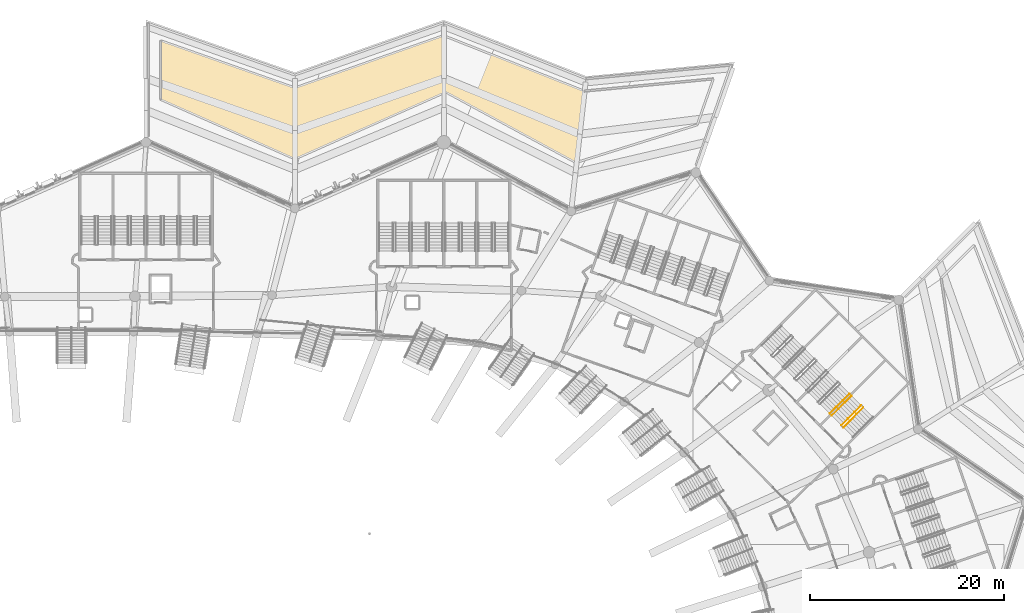
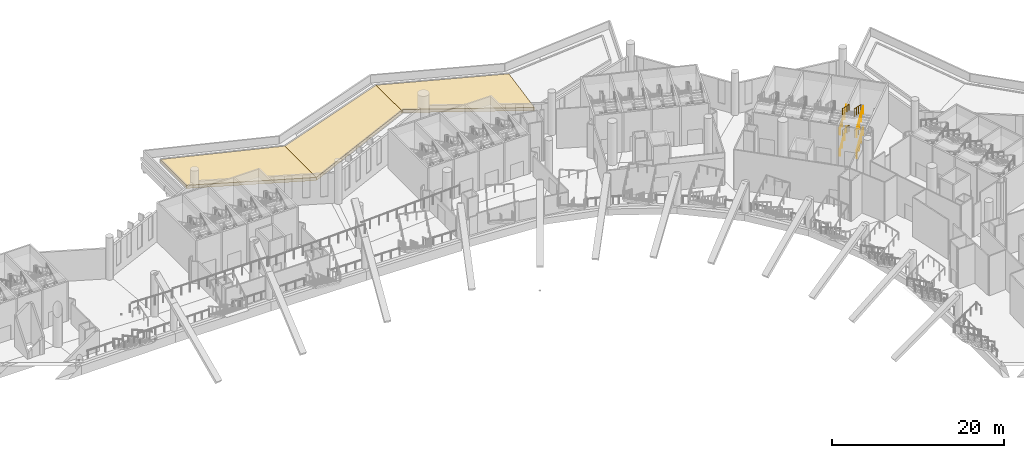
# One storey, part 172 of 173: 8 railings, 3 coverings.
"""IFC4 building model written with IfcOpenShell, lengths in metres."""

from ifc_helpers import new_model, si_unit, direction, frame, origin, origin_2d, place, context, subcontext, project, spatial, polyline, circle, outline, extrude, material, layer, layer_set, type_object, element, save


model = new_model("IFC4")

# Units and contexts
model_context = context("Model", 3, precision=1e-05, world=origin(), true_north=direction((0.0, 1.0)))
body_context = subcontext(model_context, "Body", "Model", "MODEL_VIEW")
ifc_project = project(units=[si_unit("LENGTHUNIT", "METRE"), si_unit("AREAUNIT", "SQUARE_METRE"), si_unit("VOLUMEUNIT", "CUBIC_METRE"), si_unit("PLANEANGLEUNIT", "RADIAN"), si_unit("MASSUNIT", "GRAM", prefix="KILO")], contexts=[model_context])

# Site, building, storey
site_placement = place(None, origin())
site = spatial("IfcSite", under=ifc_project, at=site_placement, CompositionType="ELEMENT")
building_placement = place(site_placement, origin())
building = spatial("IfcBuilding", under=site, at=building_placement, Name="Meseta Stadium", CompositionType="ELEMENT")
storey_placement = place(building_placement, frame((0.0, 0.0, 18.0)))
storey = spatial("IfcBuildingStorey", under=building, at=storey_placement, Name="L03", CompositionType="ELEMENT", Elevation=18.0)

# Coverings
ifc_material_1 = material(Name="Planting soil")
ifc_layer = layer(ifc_material_1, 0.449951171875)
ifc_layer_set = layer_set([ifc_layer], Name="Planting soil 450")
covering_type = type_object("IfcCoveringType", Name="Planting soil 450", PredefinedType="FLOORING", material=ifc_layer_set)
covering_1_placement = place(storey_placement, origin())
element("IfcCovering", 1, at=covering_1_placement, inside=storey, type_object=covering_type, Name="Roof garden planting bed 2.1 panel 01", PredefinedType="FLOORING", context=body_context, shape_type="SweptSolid", body=[
    extrude(outline(polyline([(23.0, 103.686767578125), (23.0, 111.009765625), (9.166748046875, 115.88134765625), (9.166748046875, 109.821533203125), (23.0, 103.686767578125)])), origin(), (0.0, 0.0, 1.0), 0.449951171875),
])
covering_2_placement = place(storey_placement, origin())
element("IfcCovering", 2, at=covering_2_placement, inside=storey, type_object=covering_type, Name="Roof garden planting bed 2.1 panel 02", PredefinedType="FLOORING", context=body_context, shape_type="SweptSolid", body=[
    extrude(outline(polyline([(23.0, 103.686767578125), (38.333251953125, 110.48681640625), (38.333251953125, 116.387451171875), (38.303466796875, 116.399169921875), (23.0, 111.009765625), (23.0, 103.686767578125)])), origin(), (0.0, 0.0, 1.0), 0.449951171875),
])
covering_3_placement = place(storey_placement, origin())
element("IfcCovering", 3, at=covering_3_placement, inside=storey, type_object=covering_type, Name="Roof garden planting bed 2.1 panel 03", PredefinedType="FLOORING", context=body_context, shape_type="SweptSolid", body=[
    extrude(outline(polyline([(52.010009765625, 103.3408203125), (52.83740234375, 110.683349609375), (52.79248046875, 110.67919921875), (38.333251953125, 116.387451171875), (38.333251953125, 110.48681640625), (38.538818359375, 110.577880859375), (51.93359375, 103.31689453125), (52.010009765625, 103.3408203125)])), origin(), (0.0, 0.0, 1.0), 0.449951171875),
])

# Railings
ifc_material_2 = material(Name="Steel S355", Category="steel")
railing_type_1 = type_object("IfcRailingType", Name="Stair guard 1100", PredefinedType="GUARDRAIL", material=ifc_material_2)
railing_1_placement = place(storey_placement, frame((79.4814453125, 76.056884765625, 0.14990234375)))
element("IfcRailing", 4, at=railing_1_placement, inside=storey, type_object=railing_type_1, Name="ST25 L03 guard 1", PredefinedType="GUARDRAIL", context=body_context, shape_type="SweptSolid", body=[
    extrude(circle(Radius=0.02392578125, at=origin_2d()), frame((0.0, 0.0, 1.076171875), z_axis=(0.640287970486, 0.640211215754, 0.424453665402), x_axis=(-0.707064395047, 0.707149164786, 0.0)), (0.0, 0.0, 1.0), 3.180908203125),
    extrude(circle(Radius=0.02099609375, at=origin_2d()), origin(), (0.0, 0.0, 1.0), 1.052001953125),
    extrude(circle(Radius=0.02099609375, at=origin_2d()), frame((0.678955078125, 0.6787109375, 0.449951171875)), (0.0, 0.0, 1.0), 1.052001953125),
    extrude(circle(Radius=0.02099609375, at=origin_2d()), frame((1.357666015625, 1.357666015625, 0.900146484375)), (0.0, 0.0, 1.0), 1.052001953125),
    extrude(circle(Radius=0.02099609375, at=origin_2d()), frame((2.03662109375, 2.036376953125, 1.35009765625)), (0.0, 0.0, 1.0), 1.052001953125),
])
railing_2_placement = place(storey_placement, frame((81.305908203125, 78.305419921875, 1.64990234375)))
element("IfcRailing", 5, at=railing_2_placement, inside=storey, type_object=railing_type_1, Name="ST25 L03 guard 3", PredefinedType="GUARDRAIL", context=body_context, shape_type="SweptSolid", body=[
    extrude(circle(Radius=0.02392578125, at=origin_2d()), frame((0.0, 0.0, 1.076171875), z_axis=(-0.640287970486, -0.640211215754, 0.424453665402), x_axis=(0.707064395047, -0.707149164786, 0.0)), (0.0, 0.0, 1.0), 3.180908203125),
    extrude(circle(Radius=0.02099609375, at=origin_2d()), origin(), (0.0, 0.0, 1.0), 1.052001953125),
    extrude(circle(Radius=0.02099609375, at=origin_2d()), frame((-0.678955078125, -0.6787109375, 0.449951171875)), (0.0, 0.0, 1.0), 1.052001953125),
    extrude(circle(Radius=0.02099609375, at=origin_2d()), frame((-1.357666015625, -1.357666015625, 0.900146484375)), (0.0, 0.0, 1.0), 1.052001953125),
    extrude(circle(Radius=0.02099609375, at=origin_2d()), frame((-2.03662109375, -2.036376953125, 1.35009765625)), (0.0, 0.0, 1.0), 1.052001953125),
])
railing_3_placement = place(storey_placement, frame((79.4814453125, 76.056884765625, 3.14990234375)))
element("IfcRailing", 6, at=railing_3_placement, inside=storey, type_object=railing_type_1, Name="ST25 L03 guard 5", PredefinedType="GUARDRAIL", context=body_context, shape_type="SweptSolid", body=[
    extrude(circle(Radius=0.02392578125, at=origin_2d()), frame((0.0, 0.0, 1.076171875), z_axis=(0.640287970486, 0.640211215754, 0.424453665402), x_axis=(-0.707064395047, 0.707149164786, 0.0)), (0.0, 0.0, 1.0), 3.180908203125),
    extrude(circle(Radius=0.02099609375, at=origin_2d()), origin(), (0.0, 0.0, 1.0), 1.052001953125),
    extrude(circle(Radius=0.02099609375, at=origin_2d()), frame((0.678955078125, 0.6787109375, 0.449951171875)), (0.0, 0.0, 1.0), 1.052001953125),
    extrude(circle(Radius=0.02099609375, at=origin_2d()), frame((1.357666015625, 1.357666015625, 0.900146484375)), (0.0, 0.0, 1.0), 1.052001953125),
    extrude(circle(Radius=0.02099609375, at=origin_2d()), frame((2.03662109375, 2.036376953125, 1.35009765625)), (0.0, 0.0, 1.0), 1.052001953125),
])
railing_4_placement = place(storey_placement, frame((81.305908203125, 78.305419921875, 4.64990234375)))
element("IfcRailing", 7, at=railing_4_placement, inside=storey, type_object=railing_type_1, Name="ST25 L03 guard 7", PredefinedType="GUARDRAIL", context=body_context, shape_type="SweptSolid", body=[
    extrude(circle(Radius=0.02392578125, at=origin_2d()), frame((0.0, 0.0, 1.076171875), z_axis=(-0.640287970486, -0.640211215754, 0.424453665402), x_axis=(0.707064395047, -0.707149164786, 0.0)), (0.0, 0.0, 1.0), 3.180908203125),
    extrude(circle(Radius=0.02099609375, at=origin_2d()), origin(), (0.0, 0.0, 1.0), 1.052001953125),
    extrude(circle(Radius=0.02099609375, at=origin_2d()), frame((-0.678955078125, -0.6787109375, 0.449951171875)), (0.0, 0.0, 1.0), 1.052001953125),
    extrude(circle(Radius=0.02099609375, at=origin_2d()), frame((-1.357666015625, -1.357666015625, 0.900146484375)), (0.0, 0.0, 1.0), 1.052001953125),
    extrude(circle(Radius=0.02099609375, at=origin_2d()), frame((-2.03662109375, -2.036376953125, 1.35009765625)), (0.0, 0.0, 1.0), 1.052001953125),
])
ifc_material_3 = material(Name="Steel S355", Category="steel")
railing_type_2 = type_object("IfcRailingType", Name="Stair handrail 900", PredefinedType="HANDRAIL", material=ifc_material_3)
for number, where, name in (
    (8, (80.31591796875, 79.29541015625, 1.64990234375), "ST25 L03 handrail 2"),
    (9, (80.31591796875, 79.29541015625, 4.64990234375), "ST25 L03 handrail 4"),
):
    element("IfcRailing", number, at=place(storey_placement, frame(where)), inside=storey, type_object=railing_type_2, Name=name, PredefinedType="HANDRAIL", context=body_context, shape_type="SweptSolid", body=[
        extrude(circle(Radius=0.02392578125, at=origin_2d()), frame((0.0, 0.0, 0.8759765625), z_axis=(-0.640242679452, -0.640242679452, 0.424474525521), x_axis=(0.707106781187, -0.707106781187, 0.0)), (0.0, 0.0, 1.0), 3.1806640625),
        extrude(circle(Radius=0.02099609375, at=origin_2d()), origin(), (0.0, 0.0, 1.0), 0.851806640625),
        extrude(circle(Radius=0.02099609375, at=origin_2d()), frame((-0.6787109375, -0.6787109375, 0.449951171875)), (0.0, 0.0, 1.0), 0.851806640625),
        extrude(circle(Radius=0.02099609375, at=origin_2d()), frame((-1.357666015625, -1.357666015625, 0.900146484375)), (0.0, 0.0, 1.0), 0.851806640625),
        extrude(circle(Radius=0.02099609375, at=origin_2d()), frame((-2.036376953125, -2.036376953125, 1.35009765625)), (0.0, 0.0, 1.0), 0.851806640625),
    ])
for number, where, name in (
    (10, (78.0673828125, 77.47119140625, 0.14990234375), "ST26 L03 handrail 1"),
    (11, (78.0673828125, 77.47119140625, 3.14990234375), "ST26 L03 handrail 3"),
):
    element("IfcRailing", number, at=place(storey_placement, frame(where)), inside=storey, type_object=railing_type_2, Name=name, PredefinedType="HANDRAIL", context=body_context, shape_type="SweptSolid", body=[
        extrude(circle(Radius=0.02392578125, at=origin_2d()), frame((0.0, 0.0, 0.8759765625), z_axis=(0.640242679452, 0.640242679452, 0.424474525521), x_axis=(-0.707106781187, 0.707106781187, 0.0)), (0.0, 0.0, 1.0), 3.1806640625),
        extrude(circle(Radius=0.02099609375, at=origin_2d()), origin(), (0.0, 0.0, 1.0), 0.851806640625),
        extrude(circle(Radius=0.02099609375, at=origin_2d()), frame((0.6787109375, 0.6787109375, 0.449951171875)), (0.0, 0.0, 1.0), 0.851806640625),
        extrude(circle(Radius=0.02099609375, at=origin_2d()), frame((1.357666015625, 1.357666015625, 0.900146484375)), (0.0, 0.0, 1.0), 0.851806640625),
        extrude(circle(Radius=0.02099609375, at=origin_2d()), frame((2.036376953125, 2.036376953125, 1.35009765625)), (0.0, 0.0, 1.0), 0.851806640625),
    ])

save(model, "model.ifc")
